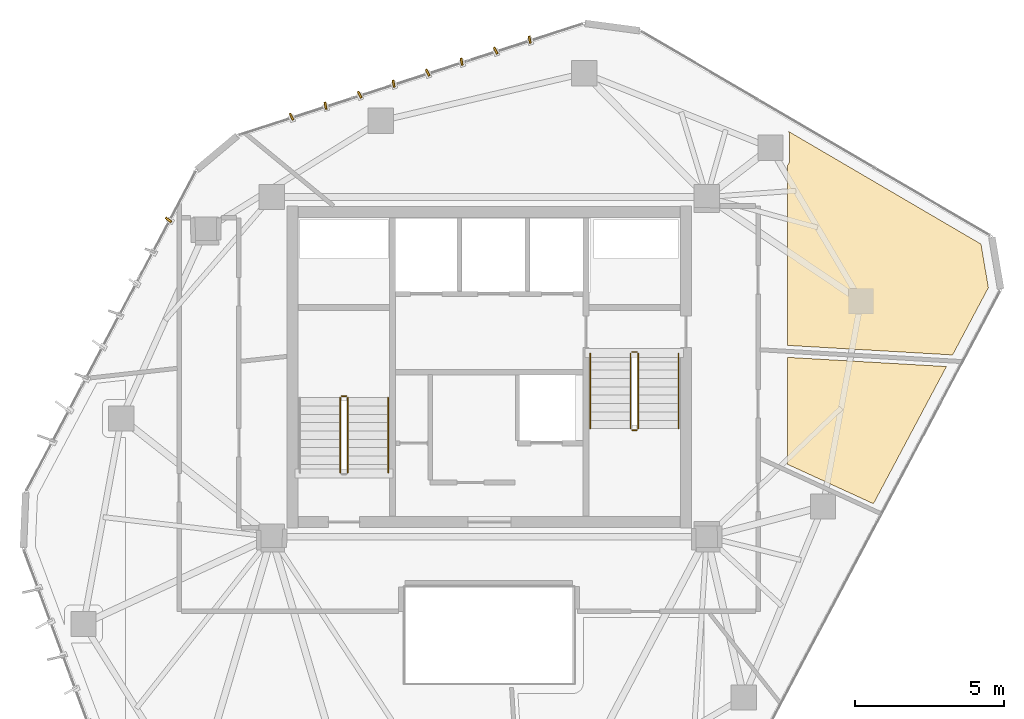
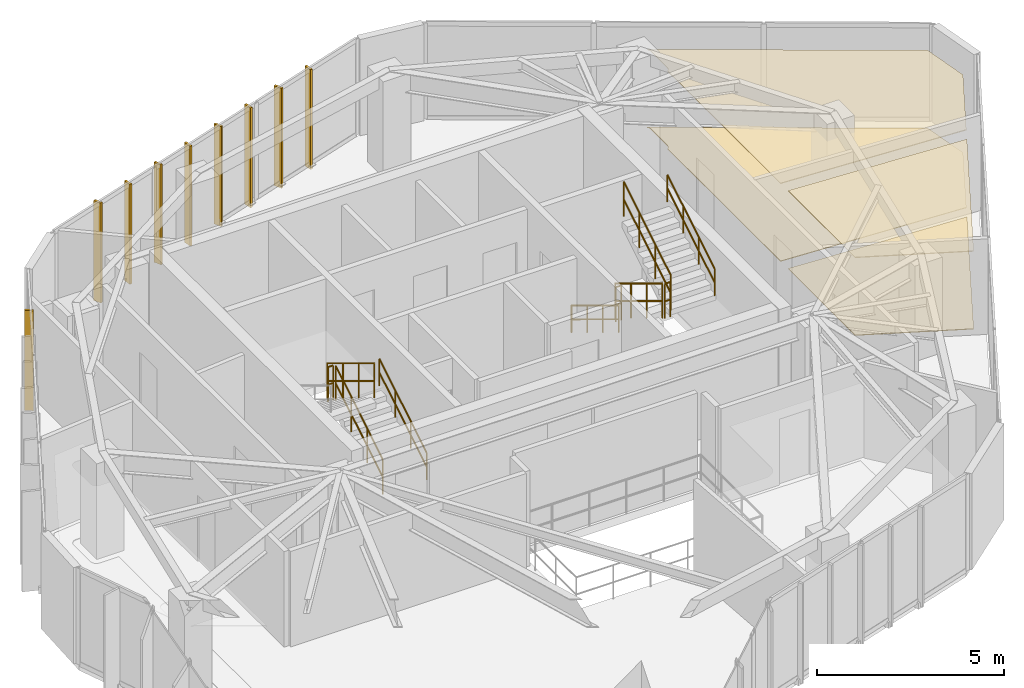
# One storey, part 19 of 19: 10 railings, 9 shading devices, 4 coverings.
"""IFC4 building model written with IfcOpenShell, lengths in metres."""

from ifc_helpers import new_model, si_unit, direction, frame, origin, origin_2d, place, context, subcontext, project, spatial, polyline, rectangle, circle, outline, extrude, source, transform, mapped, material, layer, layer_set, type_object, type_shapes, element, save


model = new_model("IFC4")

# Units and contexts
model_context = context("Model", 3, precision=1e-05, world=origin(), true_north=direction((0.0, 1.0)))
body_context = subcontext(model_context, "Body", "Model", "MODEL_VIEW")
ifc_project = project(units=[si_unit("LENGTHUNIT", "METRE"), si_unit("AREAUNIT", "SQUARE_METRE"), si_unit("VOLUMEUNIT", "CUBIC_METRE"), si_unit("PLANEANGLEUNIT", "RADIAN"), si_unit("MASSUNIT", "GRAM", prefix="KILO")], contexts=[model_context])

# Site, building, storey
site_placement = place(None, origin())
site = spatial("IfcSite", under=ifc_project, at=site_placement, CompositionType="ELEMENT")
building_placement = place(site_placement, origin())
building = spatial("IfcBuilding", under=site, at=building_placement, Name="Talar Marvaseh", CompositionType="ELEMENT")
storey_placement = place(building_placement, frame((0.0, 0.0, 288.39990234375)))
storey = spatial("IfcBuildingStorey", under=building, at=storey_placement, Name="L77", CompositionType="ELEMENT", Elevation=288.39990234375)

# Railings
ifc_material_1 = material(Name="Stainless Steel Grade 316", Category="steel")
railing_type_1 = type_object("IfcRailingType", Name="Brushed Stainless Wall Pitch Handrail 900", PredefinedType="HANDRAIL", material=ifc_material_1)
railing_1_placement = place(storey_placement, frame((22.610107421875, 27.64990234375, 0.170166015625)))
element("IfcRailing", 1, at=railing_1_placement, inside=storey, type_object=railing_type_1, Name="L77 ST-1 stair handrail 1", PredefinedType="HANDRAIL", context=body_context, shape_type="SweptSolid", body=[
    extrude(circle(Radius=0.02392578125, at=origin_2d()), frame((0.0, 0.0, 0.8759765625), z_axis=(0.0, 0.85478489116, 0.518982456201), x_axis=(-1.0, 0.0, 0.0)), (0.0, 0.0, 1.0), 2.9482421875),
    extrude(circle(Radius=0.02392578125, at=origin_2d()), frame((0.0, 0.0, 0.42578125), z_axis=(0.0, 0.85478489116, 0.518982456201), x_axis=(-1.0, 0.0, 0.0)), (0.0, 0.0, 1.0), 2.9482421875),
    extrude(circle(Radius=0.02099609375, at=origin_2d()), origin(), (0.0, 0.0, 1.0), 0.851806640625),
    extrude(circle(Radius=0.02099609375, at=origin_2d()), frame((0.0, 0.840087890625, 0.510009765625)), (0.0, 0.0, 1.0), 0.851806640625),
    extrude(circle(Radius=0.02099609375, at=origin_2d()), frame((0.0, 1.679931640625, 1.02001953125)), (0.0, 0.0, 1.0), 0.851806640625),
    extrude(circle(Radius=0.02099609375, at=origin_2d()), frame((0.0, 2.52001953125, 1.530029296875)), (0.0, 0.0, 1.0), 0.851806640625),
])
railing_2_placement = place(storey_placement, frame((29.389892578125, 31.64990234375, 0.170166015625)))
element("IfcRailing", 2, at=railing_2_placement, inside=storey, type_object=railing_type_1, Name="L77 ST-2 stair handrail 1", PredefinedType="HANDRAIL", context=body_context, shape_type="SweptSolid", body=[
    extrude(circle(Radius=0.02392578125, at=origin_2d()), frame((0.0, 0.0, 0.8759765625), z_axis=(0.0, -0.85478489116, 0.518982456201), x_axis=(1.0, 0.0, 0.0)), (0.0, 0.0, 1.0), 2.9482421875),
    extrude(circle(Radius=0.02392578125, at=origin_2d()), frame((0.0, 0.0, 0.42578125), z_axis=(0.0, -0.85478489116, 0.518982456201), x_axis=(1.0, 0.0, 0.0)), (0.0, 0.0, 1.0), 2.9482421875),
    extrude(circle(Radius=0.02099609375, at=origin_2d()), origin(), (0.0, 0.0, 1.0), 0.851806640625),
    extrude(circle(Radius=0.02099609375, at=origin_2d()), frame((0.0, -0.840087890625, 0.510009765625)), (0.0, 0.0, 1.0), 0.851806640625),
    extrude(circle(Radius=0.02099609375, at=origin_2d()), frame((0.0, -1.679931640625, 1.02001953125)), (0.0, 0.0, 1.0), 0.851806640625),
    extrude(circle(Radius=0.02099609375, at=origin_2d()), frame((0.0, -2.52001953125, 1.530029296875)), (0.0, 0.0, 1.0), 0.851806640625),
])
railing_3_placement = place(storey_placement, frame((32.35009765625, 29.1298828125, 1.8701171875)))
element("IfcRailing", 3, at=railing_3_placement, inside=storey, type_object=railing_type_1, Name="L77 ST-2 stair handrail 2", PredefinedType="HANDRAIL", context=body_context, shape_type="SweptSolid", body=[
    extrude(circle(Radius=0.02392578125, at=origin_2d()), frame((0.0, 0.0, 0.8759765625), z_axis=(0.0, 0.85478489116, 0.518982456201), x_axis=(-1.0, 0.0, 0.0)), (0.0, 0.0, 1.0), 2.9482421875),
    extrude(circle(Radius=0.02392578125, at=origin_2d()), frame((0.0, 0.0, 0.42578125), z_axis=(0.0, 0.85478489116, 0.518982456201), x_axis=(-1.0, 0.0, 0.0)), (0.0, 0.0, 1.0), 2.9482421875),
    extrude(circle(Radius=0.02099609375, at=origin_2d()), origin(), (0.0, 0.0, 1.0), 0.851806640625),
    extrude(circle(Radius=0.02099609375, at=origin_2d()), frame((0.0, 0.840087890625, 0.510009765625)), (0.0, 0.0, 1.0), 0.851806640625),
    extrude(circle(Radius=0.02099609375, at=origin_2d()), frame((0.0, 1.679931640625, 1.02001953125)), (0.0, 0.0, 1.0), 0.851806640625),
    extrude(circle(Radius=0.02099609375, at=origin_2d()), frame((0.0, 2.52001953125, 1.530029296875)), (0.0, 0.0, 1.0), 0.851806640625),
])
railing_type_2 = type_object("IfcRailingType", Name="Painted Steel Core Stair Well Guardrail 1150", PredefinedType="GUARDRAIL", material=ifc_material_1)
railing_4_placement = place(storey_placement, frame((21.260009765625, 27.64990234375, 0.170166015625)))
element("IfcRailing", 4, at=railing_4_placement, inside=storey, type_object=railing_type_2, Name="L77 ST-1 stair guard 1", PredefinedType="GUARDRAIL", context=body_context, shape_type="SweptSolid", body=[
    extrude(circle(Radius=0.02392578125, at=origin_2d()), frame((0.0, 0.0, 1.1259765625), z_axis=(0.0, 0.85478489116, 0.518982456201), x_axis=(-1.0, 0.0, 0.0)), (0.0, 0.0, 1.0), 2.9482421875),
    extrude(circle(Radius=0.02392578125, at=origin_2d()), frame((0.0, 0.0, 0.55078125), z_axis=(0.0, 0.85478489116, 0.518982456201), x_axis=(-1.0, 0.0, 0.0)), (0.0, 0.0, 1.0), 2.9482421875),
    extrude(circle(Radius=0.02099609375, at=origin_2d()), origin(), (0.0, 0.0, 1.0), 1.101806640625),
    extrude(circle(Radius=0.02099609375, at=origin_2d()), frame((0.0, 0.840087890625, 0.510009765625)), (0.0, 0.0, 1.0), 1.101806640625),
    extrude(circle(Radius=0.02099609375, at=origin_2d()), frame((0.0, 1.679931640625, 1.02001953125)), (0.0, 0.0, 1.0), 1.101806640625),
    extrude(circle(Radius=0.02099609375, at=origin_2d()), frame((0.0, 2.52001953125, 1.530029296875)), (0.0, 0.0, 1.0), 1.101806640625),
])
railing_5_placement = place(storey_placement, frame((21.2099609375, 30.219970703125, 1.7001953125)))
element("IfcRailing", 5, at=railing_5_placement, inside=storey, type_object=railing_type_2, Name="L77 ST-1 stair guard 2", PredefinedType="GUARDRAIL", context=body_context, shape_type="SweptSolid", body=[
    extrude(circle(Radius=0.02392578125, at=origin_2d()), frame((0.0, 0.0, 1.1259765625), z_axis=(-1.0, 0.0, 0.0), x_axis=(0.0, -1.0, 0.0)), (0.0, 0.0, 1.0), 0.159912109375),
    extrude(circle(Radius=0.02392578125, at=origin_2d()), frame((0.0, 0.0, 0.55078125), z_axis=(-1.0, 0.0, 0.0), x_axis=(0.0, -1.0, 0.0)), (0.0, 0.0, 1.0), 0.159912109375),
    extrude(circle(Radius=0.02099609375, at=origin_2d()), origin(), (0.0, 0.0, 1.0), 1.101806640625),
    extrude(circle(Radius=0.02099609375, at=origin_2d()), frame((-0.159912109375, 0.0, 0.0)), (0.0, 0.0, 1.0), 1.101806640625),
])
for number, where, name in (
    (6, (21.0, 30.169921875, 1.8701171875), "L77 ST-1 stair guard 3"),
    (7, (30.739990234375, 31.64990234375, 0.170166015625), "L77 ST-2 stair guard 1"),
):
    element("IfcRailing", number, at=place(storey_placement, frame(where)), inside=storey, type_object=railing_type_2, Name=name, PredefinedType="GUARDRAIL", context=body_context, shape_type="SweptSolid", body=[
        extrude(circle(Radius=0.02392578125, at=origin_2d()), frame((0.0, 0.0, 1.1259765625), z_axis=(0.0, -0.85478489116, 0.518982456201), x_axis=(1.0, 0.0, 0.0)), (0.0, 0.0, 1.0), 2.9482421875),
        extrude(circle(Radius=0.02392578125, at=origin_2d()), frame((0.0, 0.0, 0.55078125), z_axis=(0.0, -0.85478489116, 0.518982456201), x_axis=(1.0, 0.0, 0.0)), (0.0, 0.0, 1.0), 2.9482421875),
        extrude(circle(Radius=0.02099609375, at=origin_2d()), origin(), (0.0, 0.0, 1.0), 1.101806640625),
        extrude(circle(Radius=0.02099609375, at=origin_2d()), frame((0.0, -0.840087890625, 0.510009765625)), (0.0, 0.0, 1.0), 1.101806640625),
        extrude(circle(Radius=0.02099609375, at=origin_2d()), frame((0.0, -1.679931640625, 1.02001953125)), (0.0, 0.0, 1.0), 1.101806640625),
        extrude(circle(Radius=0.02099609375, at=origin_2d()), frame((0.0, -2.52001953125, 1.530029296875)), (0.0, 0.0, 1.0), 1.101806640625),
    ])
railing_6_placement = place(storey_placement, frame((30.7900390625, 29.080078125, 1.7001953125)))
element("IfcRailing", 8, at=railing_6_placement, inside=storey, type_object=railing_type_2, Name="L77 ST-2 stair guard 2", PredefinedType="GUARDRAIL", context=body_context, shape_type="SweptSolid", body=[
    extrude(circle(Radius=0.02392578125, at=origin_2d()), frame((0.0, 0.0, 1.1259765625), z_axis=(1.0, 0.0, 0.0), x_axis=(0.0, 1.0, 0.0)), (0.0, 0.0, 1.0), 0.159912109375),
    extrude(circle(Radius=0.02392578125, at=origin_2d()), frame((0.0, 0.0, 0.55078125), z_axis=(1.0, 0.0, 0.0), x_axis=(0.0, 1.0, 0.0)), (0.0, 0.0, 1.0), 0.159912109375),
    extrude(circle(Radius=0.02099609375, at=origin_2d()), origin(), (0.0, 0.0, 1.0), 1.101806640625),
    extrude(circle(Radius=0.02099609375, at=origin_2d()), frame((0.159912109375, 0.0, 0.0)), (0.0, 0.0, 1.0), 1.101806640625),
])
railing_7_placement = place(storey_placement, frame((31.0, 29.1298828125, 1.8701171875)))
element("IfcRailing", 9, at=railing_7_placement, inside=storey, type_object=railing_type_2, Name="L77 ST-2 stair guard 3", PredefinedType="GUARDRAIL", context=body_context, shape_type="SweptSolid", body=[
    extrude(circle(Radius=0.02392578125, at=origin_2d()), frame((0.0, 0.0, 1.1259765625), z_axis=(0.0, 0.85478489116, 0.518982456201), x_axis=(-1.0, 0.0, 0.0)), (0.0, 0.0, 1.0), 2.9482421875),
    extrude(circle(Radius=0.02392578125, at=origin_2d()), frame((0.0, 0.0, 0.55078125), z_axis=(0.0, 0.85478489116, 0.518982456201), x_axis=(-1.0, 0.0, 0.0)), (0.0, 0.0, 1.0), 2.9482421875),
    extrude(circle(Radius=0.02099609375, at=origin_2d()), origin(), (0.0, 0.0, 1.0), 1.101806640625),
    extrude(circle(Radius=0.02099609375, at=origin_2d()), frame((0.0, 0.840087890625, 0.510009765625)), (0.0, 0.0, 1.0), 1.101806640625),
    extrude(circle(Radius=0.02099609375, at=origin_2d()), frame((0.0, 1.679931640625, 1.02001953125)), (0.0, 0.0, 1.0), 1.101806640625),
    extrude(circle(Radius=0.02099609375, at=origin_2d()), frame((0.0, 2.52001953125, 1.530029296875)), (0.0, 0.0, 1.0), 1.101806640625),
])
railing_8_placement = place(storey_placement, frame((30.7900390625, 31.699951171875, 0.0)))
element("IfcRailing", 10, at=railing_8_placement, inside=storey, type_object=railing_type_2, Name="L77 ST-2 stair guard 4", PredefinedType="GUARDRAIL", context=body_context, shape_type="SweptSolid", body=[
    extrude(circle(Radius=0.02392578125, at=origin_2d()), frame((0.0, 0.0, 1.1259765625), z_axis=(1.0, 0.0, 0.0), x_axis=(0.0, 1.0, 0.0)), (0.0, 0.0, 1.0), 0.159912109375),
    extrude(circle(Radius=0.02392578125, at=origin_2d()), frame((0.0, 0.0, 0.55078125), z_axis=(1.0, 0.0, 0.0), x_axis=(0.0, 1.0, 0.0)), (0.0, 0.0, 1.0), 0.159912109375),
    extrude(circle(Radius=0.02099609375, at=origin_2d()), origin(), (0.0, 0.0, 1.0), 1.101806640625),
    extrude(circle(Radius=0.02099609375, at=origin_2d()), frame((0.159912109375, 0.0, 0.0)), (0.0, 0.0, 1.0), 1.101806640625),
])

# Coverings
ifc_material_2 = material(Name="Mineral Fibre Acoustic Ceiling")
ifc_layer_1 = layer(ifc_material_2, 0.02490234375)
ifc_layer_set_1 = layer_set([ifc_layer_1], Name="Mineral Fibre Acoustic Ceiling")
covering_type_1 = type_object("IfcCoveringType", Name="Perforated Mineral Fibre Acoustic Suspended Ceiling", PredefinedType="CEILING", material=ifc_layer_set_1)
covering_1_placement = place(storey_placement, frame((0.0, 0.0, 2.53515625)))
element("IfcCovering", 11, at=covering_1_placement, inside=storey, type_object=covering_type_1, Name="L77 Collection Conservation Store Acoustic Ceiling", PredefinedType="CEILING", context=body_context, shape_type="SweptSolid", body=[
    extrude(outline(polyline([(38.891357421875, 26.609375), (36.0, 27.93505859375), (36.0, 31.52099609375), (41.339599609375, 31.212158203125), (38.891357421875, 26.609375)])), origin(), (0.0, 0.0, 1.0), 0.02490234375),
])
covering_2_placement = place(storey_placement, frame((0.0, 0.0, 2.53515625)))
element("IfcCovering", 12, at=covering_2_placement, inside=storey, type_object=covering_type_1, Name="L77 Scholars' Servery Pantry Acoustic Ceiling", PredefinedType="CEILING", context=body_context, shape_type="SweptSolid", body=[
    extrude(outline(polyline([(36.0146484375, 37.9736328125), (36.02783203125, 37.988037109375), (36.03955078125, 38.00390625), (36.0498046875, 38.0205078125), (36.05810546875, 38.0380859375), (36.064697265625, 38.056640625), (36.069580078125, 38.075439453125), (36.072509765625, 38.094970703125), (36.073486328125, 38.114501953125), (36.077880859375, 38.9765625), (36.0771484375, 38.9951171875), (36.07470703125, 39.013671875), (36.0703125, 39.03173828125), (36.064453125, 39.049560546875), (36.056884765625, 39.066650390625), (36.0478515625, 39.0830078125), (36.037353515625, 39.09814453125), (36.030517578125, 39.1064453125), (42.49951171875, 35.3193359375), (42.74609375, 33.8564453125), (41.54638671875, 31.600830078125), (36.0, 31.921630859375), (36.0, 37.96044921875), (36.0, 37.96044921875), (36.0146484375, 37.9736328125)])), origin(), (0.0, 0.0, 1.0), 0.02490234375),
])
ifc_material_3 = material(Name="Porcelain Stoneware Tile", Category="masonry")
ifc_layer_2 = layer(ifc_material_3, 0.02001953125)
ifc_layer_set_2 = layer_set([ifc_layer_2], Name="Porcelain Stoneware Tile")
covering_type_2 = type_object("IfcCoveringType", Name="Polished Porcelain Stoneware Gallery Flooring", PredefinedType="FLOORING", material=ifc_layer_set_2)
covering_3_placement = place(storey_placement, origin())
element("IfcCovering", 13, at=covering_3_placement, inside=storey, type_object=covering_type_2, Name="L77 Collection Conservation Store Flooring", PredefinedType="FLOORING", context=body_context, shape_type="SweptSolid", body=[
    extrude(outline(polyline([(38.891357421875, 26.609375), (36.0, 27.93505859375), (36.0, 31.52099609375), (41.339599609375, 31.212158203125), (38.891357421875, 26.609375)])), origin(), (0.0, 0.0, 1.0), 0.02001953125),
])
covering_4_placement = place(storey_placement, origin())
element("IfcCovering", 14, at=covering_4_placement, inside=storey, type_object=covering_type_2, Name="L77 Scholars' Servery Pantry Flooring", PredefinedType="FLOORING", context=body_context, shape_type="SweptSolid", body=[
    extrude(outline(polyline([(36.0146484375, 37.9736328125), (36.02783203125, 37.988037109375), (36.03955078125, 38.00390625), (36.0498046875, 38.0205078125), (36.05810546875, 38.0380859375), (36.064697265625, 38.056640625), (36.069580078125, 38.075439453125), (36.072509765625, 38.094970703125), (36.073486328125, 38.114501953125), (36.077880859375, 38.9765625), (36.0771484375, 38.9951171875), (36.07470703125, 39.013671875), (36.0703125, 39.03173828125), (36.064453125, 39.049560546875), (36.056884765625, 39.066650390625), (36.0478515625, 39.0830078125), (36.037353515625, 39.09814453125), (36.030517578125, 39.1064453125), (42.49951171875, 35.3193359375), (42.74609375, 33.8564453125), (41.54638671875, 31.600830078125), (36.0, 31.921630859375), (36.0, 37.96044921875), (36.0, 37.96044921875), (36.0146484375, 37.9736328125)])), origin(), (0.0, 0.0, 1.0), 0.02001953125),
])

# Shading devices
ifc_material_4 = material(Name="Anodised Champagne Bronze Aluminium", Category="aluminium")
ifc_layer_3 = layer(ifc_material_4, 0.06494140625)
ifc_layer_set_3 = layer_set([ifc_layer_3], Name="Anodised Champagne Bronze Aluminium")
shading_device_type = type_object("IfcShadingDeviceType", Name="Sawtooth Champagne Bronze Vertical Fin 240", PredefinedType="USERDEFINED", material=ifc_layer_set_3)
shared_shape = source(origin(), body_context, "Body", "SweptSolid", [
    extrude(rectangle(XDim=0.239990234375, YDim=0.06494140625, at=origin_2d()), origin(), (0.0, 0.0, 1.0), 3.260009765625),
])
type_shapes(shading_device_type, [shared_shape])
for number, where, z_axis, x_axis, name in (
    (15, (15.240478515625, 36.1328125, -0.1201171875), (0.0, 0.0, 1.0), (-0.809734505573, 0.586796413149, 0.0), "L77 Sawtooth Vertical Solar Fin"),
    (16, (19.36669921875, 39.59521484375, -0.1201171875), (0.0, 0.0, 1.0), (-0.437272735822, 0.899328946775, 0.0), "L77 Sawtooth Vertical Solar Fin"),
    (17, (20.508544921875, 39.964599609375, -0.1201171875), (0.0, 0.0, 1.0), (-0.172444878725, 0.985019169256, 0.0), "L77 Sawtooth Vertical Solar Fin"),
    (18, (21.650390625, 40.333984375, -0.1201171875), (0.0, 0.0, 1.0), (-0.437272735822, 0.899328946775, 0.0), "L77 Sawtooth Vertical Solar Fin"),
    (19, (22.7919921875, 40.70361328125, -0.1201171875), (0.0, 0.0, 1.0), (-0.172444878725, 0.985019169256, 0.0), "L77 Sawtooth Vertical Solar Fin"),
    (20, (23.93359375, 41.072998046875, -0.1201171875), (0.0, 0.0, 1.0), (-0.437272735822, 0.899328946775, 0.0), "L77 Sawtooth Vertical Solar Fin"),
    (21, (25.075439453125, 41.4423828125, -0.1201171875), (0.0, 0.0, 1.0), (-0.172444878725, 0.985019169256, 0.0), "L77 Sawtooth Vertical Solar Fin"),
    (22, (26.217041015625, 41.81201171875, -0.1201171875), (0.0, 0.0, 1.0), (-0.437272735822, 0.899328946775, 0.0), "L77 Sawtooth Vertical Solar Fin"),
    (23, (27.35888671875, 42.181396484375, -0.1201171875), (0.0, 0.0, 1.0), (-0.172444878725, 0.985019169256, 0.0), "L77 Sawtooth Vertical Solar Fin"),
):
    element("IfcShadingDevice", number, at=place(storey_placement, frame(where, z_axis=z_axis, x_axis=x_axis)), inside=storey, type_object=shading_device_type, Name=name, ObjectType="FIN", PredefinedType="USERDEFINED", context=body_context, shape_type="MappedRepresentation", body=[
        mapped(shared_shape, transform((0.0, 0.0, 0.0), x_axis=(1.0, 0.0, 0.0), y_axis=(0.0, 1.0, 0.0), z_axis=(0.0, 0.0, 1.0), scale=1.0)),
    ])

save(model, "model.ifc")
